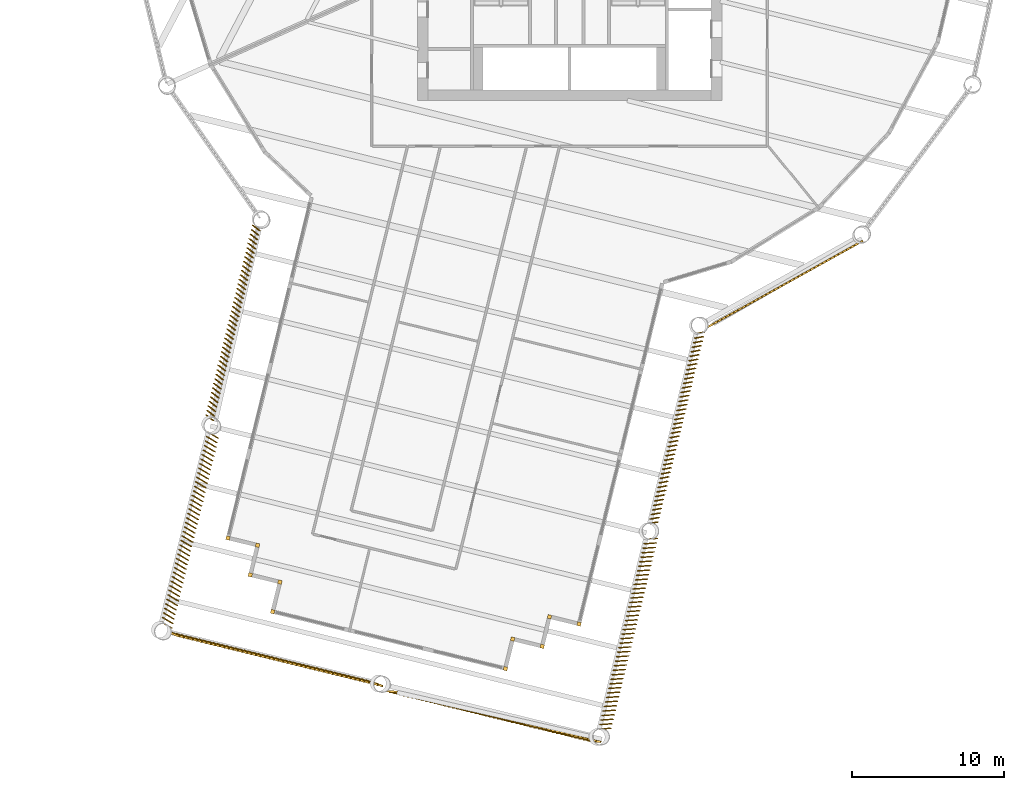
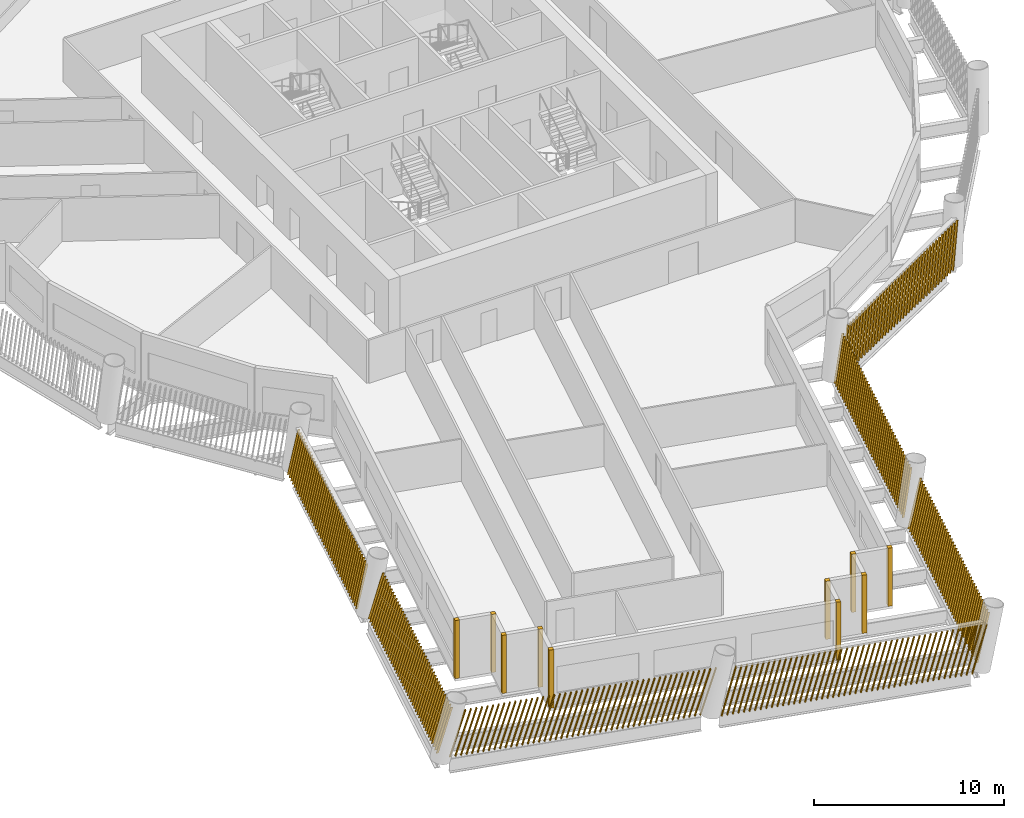
# One storey, part 11 of 15: 17 shading devices.
"""IFC4 building model written with IfcOpenShell, lengths in metres."""

from ifc_helpers import new_model, si_unit, direction, frame, frame_2d, origin, origin_2d, place, context, subcontext, project, spatial, rectangle, composite_profile, extrude, material, type_object, element, save


model = new_model("IFC4")

# Units and contexts
model_context = context("Model", 3, precision=1e-05, world=origin(), true_north=direction((0.0, 1.0)))
body_context = subcontext(model_context, "Body", "Model", "MODEL_VIEW")
ifc_project = project(units=[si_unit("LENGTHUNIT", "METRE"), si_unit("AREAUNIT", "SQUARE_METRE"), si_unit("VOLUMEUNIT", "CUBIC_METRE"), si_unit("PLANEANGLEUNIT", "RADIAN"), si_unit("MASSUNIT", "GRAM", prefix="KILO")], contexts=[model_context])

# Site, building, storey
site_placement = place(None, origin())
site = spatial("IfcSite", under=ifc_project, at=site_placement, CompositionType="ELEMENT")
building_placement = place(site_placement, origin())
building = spatial("IfcBuilding", under=site, at=building_placement, Name="Tarsis Ring Headquarters", CompositionType="ELEMENT")
storey_placement = place(building_placement, frame((0.0, 0.0, 167.10009765625)))
storey = spatial("IfcBuildingStorey", under=building, at=storey_placement, Name="L38", CompositionType="ELEMENT", Elevation=167.10009765625)

# Shading devices
ifc_material = material(Name="Terracotta baguette", Category="masonry")
shading_device_type_1 = type_object("IfcShadingDeviceType", Name="Terracotta baguette screen", PredefinedType="USERDEFINED", material=ifc_material)
shading_device_1_placement = place(storey_placement, frame((-20.8037109375, -21.154296875, 0.0), z_axis=(0.0, 0.0, 1.0), x_axis=(-0.23785195277, -0.971295034817, 0.0)))
element("IfcShadingDevice", 1, at=shading_device_1_placement, inside=storey, type_object=shading_device_type_1, Name="Baguette screen L38-01", ObjectType="Terracotta baguette screen", PredefinedType="USERDEFINED", context=body_context, shape_type="SweptSolid", body=[
    extrude(composite_profile([rectangle(XDim=0.06005859375, YDim=0.1201171875, at=frame_2d((0.030029296875, 0.0))), rectangle(XDim=0.06005859375, YDim=0.1201171875, at=frame_2d((0.335693359375, 0.0))), rectangle(XDim=0.06005859375, YDim=0.1201171875, at=frame_2d((0.6416015625, 0.0))), rectangle(XDim=0.06005859375, YDim=0.1201171875, at=frame_2d((0.947265625, 0.0))), rectangle(XDim=0.06005859375, YDim=0.1201171875, at=frame_2d((1.253173828125, 0.0))), rectangle(XDim=0.06005859375, YDim=0.1201171875, at=frame_2d((1.558837890625, 0.0))), rectangle(XDim=0.06005859375, YDim=0.1201171875, at=frame_2d((1.864501953125, 0.0))), rectangle(XDim=0.06005859375, YDim=0.1201171875, at=frame_2d((2.17041015625, 0.0))), rectangle(XDim=0.06005859375, YDim=0.1201171875, at=frame_2d((2.47607421875, 0.0))), rectangle(XDim=0.06005859375, YDim=0.1201171875, at=frame_2d((2.781982421875, 0.0))), rectangle(XDim=0.06005859375, YDim=0.1201171875, at=frame_2d((3.087646484375, 0.0))), rectangle(XDim=0.06005859375, YDim=0.1201171875, at=frame_2d((3.393310546875, 0.0))), rectangle(XDim=0.06005859375, YDim=0.1201171875, at=frame_2d((3.69921875, 0.0))), rectangle(XDim=0.06005859375, YDim=0.1201171875, at=frame_2d((4.0048828125, 0.0))), rectangle(XDim=0.06005859375, YDim=0.1201171875, at=frame_2d((4.310791015625, 0.0))), rectangle(XDim=0.06005859375, YDim=0.1201171875, at=frame_2d((4.616455078125, 0.0))), rectangle(XDim=0.06005859375, YDim=0.1201171875, at=frame_2d((4.922119140625, 0.0))), rectangle(XDim=0.06005859375, YDim=0.1201171875, at=frame_2d((5.22802734375, 0.0))), rectangle(XDim=0.06005859375, YDim=0.1201171875, at=frame_2d((5.53369140625, 0.0))), rectangle(XDim=0.06005859375, YDim=0.1201171875, at=frame_2d((5.839599609375, 0.0))), rectangle(XDim=0.06005859375, YDim=0.1201171875, at=frame_2d((6.145263671875, 0.0))), rectangle(XDim=0.06005859375, YDim=0.1201171875, at=frame_2d((6.451171875, 0.0))), rectangle(XDim=0.06005859375, YDim=0.1201171875, at=frame_2d((6.7568359375, 0.0))), rectangle(XDim=0.06005859375, YDim=0.1201171875, at=frame_2d((7.0625, 0.0))), rectangle(XDim=0.06005859375, YDim=0.1201171875, at=frame_2d((7.368408203125, 0.0))), rectangle(XDim=0.06005859375, YDim=0.1201171875, at=frame_2d((7.674072265625, 0.0))), rectangle(XDim=0.06005859375, YDim=0.1201171875, at=frame_2d((7.97998046875, 0.0))), rectangle(XDim=0.06005859375, YDim=0.1201171875, at=frame_2d((8.28564453125, 0.0))), rectangle(XDim=0.06005859375, YDim=0.1201171875, at=frame_2d((8.59130859375, 0.0))), rectangle(XDim=0.06005859375, YDim=0.1201171875, at=frame_2d((8.897216796875, 0.0))), rectangle(XDim=0.06005859375, YDim=0.1201171875, at=frame_2d((9.202880859375, 0.0))), rectangle(XDim=0.06005859375, YDim=0.1201171875, at=frame_2d((9.5087890625, 0.0))), rectangle(XDim=0.06005859375, YDim=0.1201171875, at=frame_2d((9.814453125, 0.0))), rectangle(XDim=0.06005859375, YDim=0.1201171875, at=frame_2d((10.1201171875, 0.0))), rectangle(XDim=0.06005859375, YDim=0.1201171875, at=frame_2d((10.426025390625, 0.0))), rectangle(XDim=0.06005859375, YDim=0.1201171875, at=frame_2d((10.731689453125, 0.0))), rectangle(XDim=0.06005859375, YDim=0.1201171875, at=frame_2d((11.03759765625, 0.0))), rectangle(XDim=0.06005859375, YDim=0.1201171875, at=frame_2d((11.34326171875, 0.0))), rectangle(XDim=0.06005859375, YDim=0.1201171875, at=frame_2d((11.64892578125, 0.0))), rectangle(XDim=0.06005859375, YDim=0.1201171875, at=frame_2d((11.954833984375, 0.0))), rectangle(XDim=0.06005859375, YDim=0.1201171875, at=frame_2d((12.260498046875, 0.0))), rectangle(XDim=0.06005859375, YDim=0.1201171875, at=frame_2d((12.56640625, 0.0))), rectangle(XDim=0.06005859375, YDim=0.1201171875, at=frame_2d((12.8720703125, 0.0)))]), origin(), (0.078091964169, 0.167787249856, 0.982725334932), 3.001708984375),
])
shading_device_2_placement = place(storey_placement, frame((-23.746337890625, -34.746826171875, 0.0), z_axis=(0.0, 0.0, 1.0), x_axis=(-0.23785195277, -0.971295034817, 0.0)))
element("IfcShadingDevice", 2, at=shading_device_2_placement, inside=storey, type_object=shading_device_type_1, Name="Baguette screen L38-02", ObjectType="Terracotta baguette screen", PredefinedType="USERDEFINED", context=body_context, shape_type="SweptSolid", body=[
    extrude(composite_profile([rectangle(XDim=0.06005859375, YDim=0.1201171875, at=frame_2d((0.030029296875, 0.0))), rectangle(XDim=0.06005859375, YDim=0.1201171875, at=frame_2d((0.335693359375, 0.0))), rectangle(XDim=0.06005859375, YDim=0.1201171875, at=frame_2d((0.6416015625, 0.0))), rectangle(XDim=0.06005859375, YDim=0.1201171875, at=frame_2d((0.947265625, 0.0))), rectangle(XDim=0.06005859375, YDim=0.1201171875, at=frame_2d((1.253173828125, 0.0))), rectangle(XDim=0.06005859375, YDim=0.1201171875, at=frame_2d((1.558837890625, 0.0))), rectangle(XDim=0.06005859375, YDim=0.1201171875, at=frame_2d((1.864501953125, 0.0))), rectangle(XDim=0.06005859375, YDim=0.1201171875, at=frame_2d((2.17041015625, 0.0))), rectangle(XDim=0.06005859375, YDim=0.1201171875, at=frame_2d((2.47607421875, 0.0))), rectangle(XDim=0.06005859375, YDim=0.1201171875, at=frame_2d((2.781982421875, 0.0))), rectangle(XDim=0.06005859375, YDim=0.1201171875, at=frame_2d((3.087646484375, 0.0))), rectangle(XDim=0.06005859375, YDim=0.1201171875, at=frame_2d((3.393310546875, 0.0))), rectangle(XDim=0.06005859375, YDim=0.1201171875, at=frame_2d((3.69921875, 0.0))), rectangle(XDim=0.06005859375, YDim=0.1201171875, at=frame_2d((4.0048828125, 0.0))), rectangle(XDim=0.06005859375, YDim=0.1201171875, at=frame_2d((4.310791015625, 0.0))), rectangle(XDim=0.06005859375, YDim=0.1201171875, at=frame_2d((4.616455078125, 0.0))), rectangle(XDim=0.06005859375, YDim=0.1201171875, at=frame_2d((4.922119140625, 0.0))), rectangle(XDim=0.06005859375, YDim=0.1201171875, at=frame_2d((5.22802734375, 0.0))), rectangle(XDim=0.06005859375, YDim=0.1201171875, at=frame_2d((5.53369140625, 0.0))), rectangle(XDim=0.06005859375, YDim=0.1201171875, at=frame_2d((5.839599609375, 0.0))), rectangle(XDim=0.06005859375, YDim=0.1201171875, at=frame_2d((6.145263671875, 0.0))), rectangle(XDim=0.06005859375, YDim=0.1201171875, at=frame_2d((6.451171875, 0.0))), rectangle(XDim=0.06005859375, YDim=0.1201171875, at=frame_2d((6.7568359375, 0.0))), rectangle(XDim=0.06005859375, YDim=0.1201171875, at=frame_2d((7.0625, 0.0))), rectangle(XDim=0.06005859375, YDim=0.1201171875, at=frame_2d((7.368408203125, 0.0))), rectangle(XDim=0.06005859375, YDim=0.1201171875, at=frame_2d((7.674072265625, 0.0))), rectangle(XDim=0.06005859375, YDim=0.1201171875, at=frame_2d((7.97998046875, 0.0))), rectangle(XDim=0.06005859375, YDim=0.1201171875, at=frame_2d((8.28564453125, 0.0))), rectangle(XDim=0.06005859375, YDim=0.1201171875, at=frame_2d((8.59130859375, 0.0))), rectangle(XDim=0.06005859375, YDim=0.1201171875, at=frame_2d((8.897216796875, 0.0))), rectangle(XDim=0.06005859375, YDim=0.1201171875, at=frame_2d((9.202880859375, 0.0))), rectangle(XDim=0.06005859375, YDim=0.1201171875, at=frame_2d((9.5087890625, 0.0))), rectangle(XDim=0.06005859375, YDim=0.1201171875, at=frame_2d((9.814453125, 0.0))), rectangle(XDim=0.06005859375, YDim=0.1201171875, at=frame_2d((10.1201171875, 0.0))), rectangle(XDim=0.06005859375, YDim=0.1201171875, at=frame_2d((10.426025390625, 0.0))), rectangle(XDim=0.06005859375, YDim=0.1201171875, at=frame_2d((10.731689453125, 0.0))), rectangle(XDim=0.06005859375, YDim=0.1201171875, at=frame_2d((11.03759765625, 0.0))), rectangle(XDim=0.06005859375, YDim=0.1201171875, at=frame_2d((11.34326171875, 0.0))), rectangle(XDim=0.06005859375, YDim=0.1201171875, at=frame_2d((11.64892578125, 0.0))), rectangle(XDim=0.06005859375, YDim=0.1201171875, at=frame_2d((11.954833984375, 0.0))), rectangle(XDim=0.06005859375, YDim=0.1201171875, at=frame_2d((12.260498046875, 0.0))), rectangle(XDim=0.06005859375, YDim=0.1201171875, at=frame_2d((12.56640625, 0.0))), rectangle(XDim=0.06005859375, YDim=0.1201171875, at=frame_2d((12.8720703125, 0.0)))]), origin(), (0.074475219768, 0.237067883791, 0.968634224109), 3.04541015625),
])
shading_device_3_placement = place(storey_placement, frame((-26.448486328125, -47.88330078125, 0.0), z_axis=(0.0, 0.0, 1.0), x_axis=(0.971304732419, -0.237859354268, 0.0)))
element("IfcShadingDevice", 3, at=shading_device_3_placement, inside=storey, type_object=shading_device_type_1, Name="Baguette screen L38-03", ObjectType="Terracotta baguette screen", PredefinedType="USERDEFINED", context=body_context, shape_type="SweptSolid", body=[
    extrude(composite_profile([rectangle(XDim=0.06005859375, YDim=0.1201171875, at=frame_2d((0.030029296875, 0.0))), rectangle(XDim=0.06005859375, YDim=0.1201171875, at=frame_2d((0.33544921875, 0.0))), rectangle(XDim=0.06005859375, YDim=0.1201171875, at=frame_2d((0.640625, 0.0))), rectangle(XDim=0.06005859375, YDim=0.1201171875, at=frame_2d((0.946044921875, 0.0))), rectangle(XDim=0.06005859375, YDim=0.1201171875, at=frame_2d((1.25146484375, 0.0))), rectangle(XDim=0.06005859375, YDim=0.1201171875, at=frame_2d((1.556640625, 0.0))), rectangle(XDim=0.06005859375, YDim=0.1201171875, at=frame_2d((1.862060546875, 0.0))), rectangle(XDim=0.06005859375, YDim=0.1201171875, at=frame_2d((2.16748046875, 0.0))), rectangle(XDim=0.06005859375, YDim=0.1201171875, at=frame_2d((2.47265625, 0.0))), rectangle(XDim=0.06005859375, YDim=0.1201171875, at=frame_2d((2.778076171875, 0.0))), rectangle(XDim=0.06005859375, YDim=0.1201171875, at=frame_2d((3.08349609375, 0.0))), rectangle(XDim=0.06005859375, YDim=0.1201171875, at=frame_2d((3.388671875, 0.0))), rectangle(XDim=0.06005859375, YDim=0.1201171875, at=frame_2d((3.694091796875, 0.0))), rectangle(XDim=0.06005859375, YDim=0.1201171875, at=frame_2d((3.99951171875, 0.0))), rectangle(XDim=0.06005859375, YDim=0.1201171875, at=frame_2d((4.3046875, 0.0))), rectangle(XDim=0.06005859375, YDim=0.1201171875, at=frame_2d((4.610107421875, 0.0))), rectangle(XDim=0.06005859375, YDim=0.1201171875, at=frame_2d((4.91552734375, 0.0))), rectangle(XDim=0.06005859375, YDim=0.1201171875, at=frame_2d((5.220703125, 0.0))), rectangle(XDim=0.06005859375, YDim=0.1201171875, at=frame_2d((5.526123046875, 0.0))), rectangle(XDim=0.06005859375, YDim=0.1201171875, at=frame_2d((5.83154296875, 0.0))), rectangle(XDim=0.06005859375, YDim=0.1201171875, at=frame_2d((6.13671875, 0.0))), rectangle(XDim=0.06005859375, YDim=0.1201171875, at=frame_2d((6.442138671875, 0.0))), rectangle(XDim=0.06005859375, YDim=0.1201171875, at=frame_2d((6.74755859375, 0.0))), rectangle(XDim=0.06005859375, YDim=0.1201171875, at=frame_2d((7.052734375, 0.0))), rectangle(XDim=0.06005859375, YDim=0.1201171875, at=frame_2d((7.358154296875, 0.0))), rectangle(XDim=0.06005859375, YDim=0.1201171875, at=frame_2d((7.66357421875, 0.0))), rectangle(XDim=0.06005859375, YDim=0.1201171875, at=frame_2d((7.96875, 0.0))), rectangle(XDim=0.06005859375, YDim=0.1201171875, at=frame_2d((8.274169921875, 0.0))), rectangle(XDim=0.06005859375, YDim=0.1201171875, at=frame_2d((8.57958984375, 0.0))), rectangle(XDim=0.06005859375, YDim=0.1201171875, at=frame_2d((8.884765625, 0.0))), rectangle(XDim=0.06005859375, YDim=0.1201171875, at=frame_2d((9.190185546875, 0.0))), rectangle(XDim=0.06005859375, YDim=0.1201171875, at=frame_2d((9.49560546875, 0.0))), rectangle(XDim=0.06005859375, YDim=0.1201171875, at=frame_2d((9.80078125, 0.0))), rectangle(XDim=0.06005859375, YDim=0.1201171875, at=frame_2d((10.106201171875, 0.0))), rectangle(XDim=0.06005859375, YDim=0.1201171875, at=frame_2d((10.41162109375, 0.0))), rectangle(XDim=0.06005859375, YDim=0.1201171875, at=frame_2d((10.716796875, 0.0))), rectangle(XDim=0.06005859375, YDim=0.1201171875, at=frame_2d((11.022216796875, 0.0))), rectangle(XDim=0.06005859375, YDim=0.1201171875, at=frame_2d((11.32763671875, 0.0))), rectangle(XDim=0.06005859375, YDim=0.1201171875, at=frame_2d((11.6328125, 0.0))), rectangle(XDim=0.06005859375, YDim=0.1201171875, at=frame_2d((11.938232421875, 0.0))), rectangle(XDim=0.06005859375, YDim=0.1201171875, at=frame_2d((12.24365234375, 0.0))), rectangle(XDim=0.06005859375, YDim=0.1201171875, at=frame_2d((12.548828125, 0.0))), rectangle(XDim=0.06005859375, YDim=0.1201171875, at=frame_2d((12.854248046875, 0.0))), rectangle(XDim=0.06005859375, YDim=0.1201171875, at=frame_2d((13.15966796875, 0.0))), rectangle(XDim=0.06005859375, YDim=0.1201171875, at=frame_2d((13.46484375, 0.0))), rectangle(XDim=0.06005859375, YDim=0.1201171875, at=frame_2d((13.770263671875, 0.0)))]), origin(), (0.2707505716, -0.03577936014, 0.961984389357), 3.06640625),
])
shading_device_4_placement = place(storey_placement, frame((-12.162353515625, -51.767822265625, 0.0), z_axis=(0.0, 0.0, 1.0), x_axis=(0.971304732419, -0.237859354268, 0.0)))
element("IfcShadingDevice", 4, at=shading_device_4_placement, inside=storey, type_object=shading_device_type_1, Name="Baguette screen L38-04", ObjectType="Terracotta baguette screen", PredefinedType="USERDEFINED", context=body_context, shape_type="SweptSolid", body=[
    extrude(composite_profile([rectangle(XDim=0.06005859375, YDim=0.1201171875, at=frame_2d((0.030029296875, 0.0))), rectangle(XDim=0.06005859375, YDim=0.1201171875, at=frame_2d((0.33544921875, 0.0))), rectangle(XDim=0.06005859375, YDim=0.1201171875, at=frame_2d((0.640625, 0.0))), rectangle(XDim=0.06005859375, YDim=0.1201171875, at=frame_2d((0.946044921875, 0.0))), rectangle(XDim=0.06005859375, YDim=0.1201171875, at=frame_2d((1.25146484375, 0.0))), rectangle(XDim=0.06005859375, YDim=0.1201171875, at=frame_2d((1.556640625, 0.0))), rectangle(XDim=0.06005859375, YDim=0.1201171875, at=frame_2d((1.862060546875, 0.0))), rectangle(XDim=0.06005859375, YDim=0.1201171875, at=frame_2d((2.16748046875, 0.0))), rectangle(XDim=0.06005859375, YDim=0.1201171875, at=frame_2d((2.47265625, 0.0))), rectangle(XDim=0.06005859375, YDim=0.1201171875, at=frame_2d((2.778076171875, 0.0))), rectangle(XDim=0.06005859375, YDim=0.1201171875, at=frame_2d((3.08349609375, 0.0))), rectangle(XDim=0.06005859375, YDim=0.1201171875, at=frame_2d((3.388671875, 0.0))), rectangle(XDim=0.06005859375, YDim=0.1201171875, at=frame_2d((3.694091796875, 0.0))), rectangle(XDim=0.06005859375, YDim=0.1201171875, at=frame_2d((3.99951171875, 0.0))), rectangle(XDim=0.06005859375, YDim=0.1201171875, at=frame_2d((4.3046875, 0.0))), rectangle(XDim=0.06005859375, YDim=0.1201171875, at=frame_2d((4.610107421875, 0.0))), rectangle(XDim=0.06005859375, YDim=0.1201171875, at=frame_2d((4.91552734375, 0.0))), rectangle(XDim=0.06005859375, YDim=0.1201171875, at=frame_2d((5.220703125, 0.0))), rectangle(XDim=0.06005859375, YDim=0.1201171875, at=frame_2d((5.526123046875, 0.0))), rectangle(XDim=0.06005859375, YDim=0.1201171875, at=frame_2d((5.83154296875, 0.0))), rectangle(XDim=0.06005859375, YDim=0.1201171875, at=frame_2d((6.13671875, 0.0))), rectangle(XDim=0.06005859375, YDim=0.1201171875, at=frame_2d((6.442138671875, 0.0))), rectangle(XDim=0.06005859375, YDim=0.1201171875, at=frame_2d((6.74755859375, 0.0))), rectangle(XDim=0.06005859375, YDim=0.1201171875, at=frame_2d((7.052734375, 0.0))), rectangle(XDim=0.06005859375, YDim=0.1201171875, at=frame_2d((7.358154296875, 0.0))), rectangle(XDim=0.06005859375, YDim=0.1201171875, at=frame_2d((7.66357421875, 0.0))), rectangle(XDim=0.06005859375, YDim=0.1201171875, at=frame_2d((7.96875, 0.0))), rectangle(XDim=0.06005859375, YDim=0.1201171875, at=frame_2d((8.274169921875, 0.0))), rectangle(XDim=0.06005859375, YDim=0.1201171875, at=frame_2d((8.57958984375, 0.0))), rectangle(XDim=0.06005859375, YDim=0.1201171875, at=frame_2d((8.884765625, 0.0))), rectangle(XDim=0.06005859375, YDim=0.1201171875, at=frame_2d((9.190185546875, 0.0))), rectangle(XDim=0.06005859375, YDim=0.1201171875, at=frame_2d((9.49560546875, 0.0))), rectangle(XDim=0.06005859375, YDim=0.1201171875, at=frame_2d((9.80078125, 0.0))), rectangle(XDim=0.06005859375, YDim=0.1201171875, at=frame_2d((10.106201171875, 0.0))), rectangle(XDim=0.06005859375, YDim=0.1201171875, at=frame_2d((10.41162109375, 0.0))), rectangle(XDim=0.06005859375, YDim=0.1201171875, at=frame_2d((10.716796875, 0.0))), rectangle(XDim=0.06005859375, YDim=0.1201171875, at=frame_2d((11.022216796875, 0.0))), rectangle(XDim=0.06005859375, YDim=0.1201171875, at=frame_2d((11.32763671875, 0.0))), rectangle(XDim=0.06005859375, YDim=0.1201171875, at=frame_2d((11.6328125, 0.0))), rectangle(XDim=0.06005859375, YDim=0.1201171875, at=frame_2d((11.938232421875, 0.0))), rectangle(XDim=0.06005859375, YDim=0.1201171875, at=frame_2d((12.24365234375, 0.0))), rectangle(XDim=0.06005859375, YDim=0.1201171875, at=frame_2d((12.548828125, 0.0))), rectangle(XDim=0.06005859375, YDim=0.1201171875, at=frame_2d((12.854248046875, 0.0))), rectangle(XDim=0.06005859375, YDim=0.1201171875, at=frame_2d((13.15966796875, 0.0))), rectangle(XDim=0.06005859375, YDim=0.1201171875, at=frame_2d((13.46484375, 0.0))), rectangle(XDim=0.06005859375, YDim=0.1201171875, at=frame_2d((13.770263671875, 0.0)))]), origin(), (0.271934204609, 0.040023356485, 0.961483187216), 3.068115234375),
])
shading_device_5_placement = place(storey_placement, frame((1.935302734375, -54.3193359375, 0.0), z_axis=(0.0, 0.0, 1.0), x_axis=(0.237870874962, 0.971295034817, 0.0)))
element("IfcShadingDevice", 5, at=shading_device_5_placement, inside=storey, type_object=shading_device_type_1, Name="Baguette screen L38-05", ObjectType="Terracotta baguette screen", PredefinedType="USERDEFINED", context=body_context, shape_type="SweptSolid", body=[
    extrude(composite_profile([rectangle(XDim=0.06005859375, YDim=0.1201171875, at=frame_2d((0.030029296875, 0.0))), rectangle(XDim=0.06005859375, YDim=0.1201171875, at=frame_2d((0.335693359375, 0.0))), rectangle(XDim=0.06005859375, YDim=0.1201171875, at=frame_2d((0.6416015625, 0.0))), rectangle(XDim=0.06005859375, YDim=0.1201171875, at=frame_2d((0.947265625, 0.0))), rectangle(XDim=0.06005859375, YDim=0.1201171875, at=frame_2d((1.253173828125, 0.0))), rectangle(XDim=0.06005859375, YDim=0.1201171875, at=frame_2d((1.558837890625, 0.0))), rectangle(XDim=0.06005859375, YDim=0.1201171875, at=frame_2d((1.864501953125, 0.0))), rectangle(XDim=0.06005859375, YDim=0.1201171875, at=frame_2d((2.17041015625, 0.0))), rectangle(XDim=0.06005859375, YDim=0.1201171875, at=frame_2d((2.47607421875, 0.0))), rectangle(XDim=0.06005859375, YDim=0.1201171875, at=frame_2d((2.781982421875, 0.0))), rectangle(XDim=0.06005859375, YDim=0.1201171875, at=frame_2d((3.087646484375, 0.0))), rectangle(XDim=0.06005859375, YDim=0.1201171875, at=frame_2d((3.393310546875, 0.0))), rectangle(XDim=0.06005859375, YDim=0.1201171875, at=frame_2d((3.69921875, 0.0))), rectangle(XDim=0.06005859375, YDim=0.1201171875, at=frame_2d((4.0048828125, 0.0))), rectangle(XDim=0.06005859375, YDim=0.1201171875, at=frame_2d((4.310791015625, 0.0))), rectangle(XDim=0.06005859375, YDim=0.1201171875, at=frame_2d((4.616455078125, 0.0))), rectangle(XDim=0.06005859375, YDim=0.1201171875, at=frame_2d((4.922119140625, 0.0))), rectangle(XDim=0.06005859375, YDim=0.1201171875, at=frame_2d((5.22802734375, 0.0))), rectangle(XDim=0.06005859375, YDim=0.1201171875, at=frame_2d((5.53369140625, 0.0))), rectangle(XDim=0.06005859375, YDim=0.1201171875, at=frame_2d((5.839599609375, 0.0))), rectangle(XDim=0.06005859375, YDim=0.1201171875, at=frame_2d((6.145263671875, 0.0))), rectangle(XDim=0.06005859375, YDim=0.1201171875, at=frame_2d((6.451171875, 0.0))), rectangle(XDim=0.06005859375, YDim=0.1201171875, at=frame_2d((6.7568359375, 0.0))), rectangle(XDim=0.06005859375, YDim=0.1201171875, at=frame_2d((7.0625, 0.0))), rectangle(XDim=0.06005859375, YDim=0.1201171875, at=frame_2d((7.368408203125, 0.0))), rectangle(XDim=0.06005859375, YDim=0.1201171875, at=frame_2d((7.674072265625, 0.0))), rectangle(XDim=0.06005859375, YDim=0.1201171875, at=frame_2d((7.97998046875, 0.0))), rectangle(XDim=0.06005859375, YDim=0.1201171875, at=frame_2d((8.28564453125, 0.0))), rectangle(XDim=0.06005859375, YDim=0.1201171875, at=frame_2d((8.59130859375, 0.0))), rectangle(XDim=0.06005859375, YDim=0.1201171875, at=frame_2d((8.897216796875, 0.0))), rectangle(XDim=0.06005859375, YDim=0.1201171875, at=frame_2d((9.202880859375, 0.0))), rectangle(XDim=0.06005859375, YDim=0.1201171875, at=frame_2d((9.5087890625, 0.0))), rectangle(XDim=0.06005859375, YDim=0.1201171875, at=frame_2d((9.814453125, 0.0))), rectangle(XDim=0.06005859375, YDim=0.1201171875, at=frame_2d((10.1201171875, 0.0))), rectangle(XDim=0.06005859375, YDim=0.1201171875, at=frame_2d((10.426025390625, 0.0))), rectangle(XDim=0.06005859375, YDim=0.1201171875, at=frame_2d((10.731689453125, 0.0))), rectangle(XDim=0.06005859375, YDim=0.1201171875, at=frame_2d((11.03759765625, 0.0))), rectangle(XDim=0.06005859375, YDim=0.1201171875, at=frame_2d((11.34326171875, 0.0))), rectangle(XDim=0.06005859375, YDim=0.1201171875, at=frame_2d((11.64892578125, 0.0))), rectangle(XDim=0.06005859375, YDim=0.1201171875, at=frame_2d((11.954833984375, 0.0))), rectangle(XDim=0.06005859375, YDim=0.1201171875, at=frame_2d((12.260498046875, 0.0))), rectangle(XDim=0.06005859375, YDim=0.1201171875, at=frame_2d((12.56640625, 0.0))), rectangle(XDim=0.06005859375, YDim=0.1201171875, at=frame_2d((12.8720703125, 0.0)))]), origin(), (0.078193324495, -0.235868752967, 0.968633953245), 3.04541015625),
])
shading_device_6_placement = place(storey_placement, frame((5.2421875, -40.81591796875, 0.0), z_axis=(0.0, 0.0, 1.0), x_axis=(0.237856453536, 0.971294491646, 0.0)))
element("IfcShadingDevice", 6, at=shading_device_6_placement, inside=storey, type_object=shading_device_type_1, Name="Baguette screen L38-06", ObjectType="Terracotta baguette screen", PredefinedType="USERDEFINED", context=body_context, shape_type="SweptSolid", body=[
    extrude(composite_profile([rectangle(XDim=0.06005859375, YDim=0.1201171875, at=frame_2d((0.030029296875, 0.0))), rectangle(XDim=0.06005859375, YDim=0.1201171875, at=frame_2d((0.335693359375, 0.0))), rectangle(XDim=0.06005859375, YDim=0.1201171875, at=frame_2d((0.6416015625, 0.0))), rectangle(XDim=0.06005859375, YDim=0.1201171875, at=frame_2d((0.947265625, 0.0))), rectangle(XDim=0.06005859375, YDim=0.1201171875, at=frame_2d((1.253173828125, 0.0))), rectangle(XDim=0.06005859375, YDim=0.1201171875, at=frame_2d((1.558837890625, 0.0))), rectangle(XDim=0.06005859375, YDim=0.1201171875, at=frame_2d((1.864501953125, 0.0))), rectangle(XDim=0.06005859375, YDim=0.1201171875, at=frame_2d((2.17041015625, 0.0))), rectangle(XDim=0.06005859375, YDim=0.1201171875, at=frame_2d((2.47607421875, 0.0))), rectangle(XDim=0.06005859375, YDim=0.1201171875, at=frame_2d((2.781982421875, 0.0))), rectangle(XDim=0.06005859375, YDim=0.1201171875, at=frame_2d((3.087646484375, 0.0))), rectangle(XDim=0.06005859375, YDim=0.1201171875, at=frame_2d((3.393310546875, 0.0))), rectangle(XDim=0.06005859375, YDim=0.1201171875, at=frame_2d((3.69921875, 0.0))), rectangle(XDim=0.06005859375, YDim=0.1201171875, at=frame_2d((4.0048828125, 0.0))), rectangle(XDim=0.06005859375, YDim=0.1201171875, at=frame_2d((4.310791015625, 0.0))), rectangle(XDim=0.06005859375, YDim=0.1201171875, at=frame_2d((4.616455078125, 0.0))), rectangle(XDim=0.06005859375, YDim=0.1201171875, at=frame_2d((4.922119140625, 0.0))), rectangle(XDim=0.06005859375, YDim=0.1201171875, at=frame_2d((5.22802734375, 0.0))), rectangle(XDim=0.06005859375, YDim=0.1201171875, at=frame_2d((5.53369140625, 0.0))), rectangle(XDim=0.06005859375, YDim=0.1201171875, at=frame_2d((5.839599609375, 0.0))), rectangle(XDim=0.06005859375, YDim=0.1201171875, at=frame_2d((6.145263671875, 0.0))), rectangle(XDim=0.06005859375, YDim=0.1201171875, at=frame_2d((6.451171875, 0.0))), rectangle(XDim=0.06005859375, YDim=0.1201171875, at=frame_2d((6.7568359375, 0.0))), rectangle(XDim=0.06005859375, YDim=0.1201171875, at=frame_2d((7.0625, 0.0))), rectangle(XDim=0.06005859375, YDim=0.1201171875, at=frame_2d((7.368408203125, 0.0))), rectangle(XDim=0.06005859375, YDim=0.1201171875, at=frame_2d((7.674072265625, 0.0))), rectangle(XDim=0.06005859375, YDim=0.1201171875, at=frame_2d((7.97998046875, 0.0))), rectangle(XDim=0.06005859375, YDim=0.1201171875, at=frame_2d((8.28564453125, 0.0))), rectangle(XDim=0.06005859375, YDim=0.1201171875, at=frame_2d((8.59130859375, 0.0))), rectangle(XDim=0.06005859375, YDim=0.1201171875, at=frame_2d((8.897216796875, 0.0))), rectangle(XDim=0.06005859375, YDim=0.1201171875, at=frame_2d((9.202880859375, 0.0))), rectangle(XDim=0.06005859375, YDim=0.1201171875, at=frame_2d((9.5087890625, 0.0))), rectangle(XDim=0.06005859375, YDim=0.1201171875, at=frame_2d((9.814453125, 0.0))), rectangle(XDim=0.06005859375, YDim=0.1201171875, at=frame_2d((10.1201171875, 0.0))), rectangle(XDim=0.06005859375, YDim=0.1201171875, at=frame_2d((10.426025390625, 0.0))), rectangle(XDim=0.06005859375, YDim=0.1201171875, at=frame_2d((10.731689453125, 0.0))), rectangle(XDim=0.06005859375, YDim=0.1201171875, at=frame_2d((11.03759765625, 0.0))), rectangle(XDim=0.06005859375, YDim=0.1201171875, at=frame_2d((11.34326171875, 0.0))), rectangle(XDim=0.06005859375, YDim=0.1201171875, at=frame_2d((11.64892578125, 0.0))), rectangle(XDim=0.06005859375, YDim=0.1201171875, at=frame_2d((11.954833984375, 0.0))), rectangle(XDim=0.06005859375, YDim=0.1201171875, at=frame_2d((12.260498046875, 0.0))), rectangle(XDim=0.06005859375, YDim=0.1201171875, at=frame_2d((12.56640625, 0.0))), rectangle(XDim=0.06005859375, YDim=0.1201171875, at=frame_2d((12.8720703125, 0.0)))]), origin(), (0.078767839649, -0.166581071176, 0.982876581348), 3.00146484375),
])
shading_device_7_placement = place(storey_placement, frame((9.049072265625, -27.883544921875, 0.0), z_axis=(0.0, 0.0, 1.0), x_axis=(0.874270211612, 0.485447639718, 0.0)))
element("IfcShadingDevice", 7, at=shading_device_7_placement, inside=storey, type_object=shading_device_type_1, Name="Baguette screen L38-07", ObjectType="Terracotta baguette screen", PredefinedType="USERDEFINED", context=body_context, shape_type="SweptSolid", body=[
    extrude(composite_profile([rectangle(XDim=0.06005859375, YDim=0.1201171875, at=frame_2d((0.030029296875, 0.0))), rectangle(XDim=0.06005859375, YDim=0.1201171875, at=frame_2d((0.33251953125, 0.0))), rectangle(XDim=0.06005859375, YDim=0.1201171875, at=frame_2d((0.634765625, 0.0))), rectangle(XDim=0.06005859375, YDim=0.1201171875, at=frame_2d((0.937255859375, 0.0))), rectangle(XDim=0.06005859375, YDim=0.1201171875, at=frame_2d((1.239501953125, 0.0))), rectangle(XDim=0.06005859375, YDim=0.1201171875, at=frame_2d((1.5419921875, 0.0))), rectangle(XDim=0.06005859375, YDim=0.1201171875, at=frame_2d((1.844482421875, 0.0))), rectangle(XDim=0.06005859375, YDim=0.1201171875, at=frame_2d((2.146728515625, 0.0))), rectangle(XDim=0.06005859375, YDim=0.1201171875, at=frame_2d((2.44921875, 0.0))), rectangle(XDim=0.06005859375, YDim=0.1201171875, at=frame_2d((2.751708984375, 0.0))), rectangle(XDim=0.06005859375, YDim=0.1201171875, at=frame_2d((3.053955078125, 0.0))), rectangle(XDim=0.06005859375, YDim=0.1201171875, at=frame_2d((3.3564453125, 0.0))), rectangle(XDim=0.06005859375, YDim=0.1201171875, at=frame_2d((3.65869140625, 0.0))), rectangle(XDim=0.06005859375, YDim=0.1201171875, at=frame_2d((3.961181640625, 0.0))), rectangle(XDim=0.06005859375, YDim=0.1201171875, at=frame_2d((4.263671875, 0.0))), rectangle(XDim=0.06005859375, YDim=0.1201171875, at=frame_2d((4.56591796875, 0.0))), rectangle(XDim=0.06005859375, YDim=0.1201171875, at=frame_2d((4.868408203125, 0.0))), rectangle(XDim=0.06005859375, YDim=0.1201171875, at=frame_2d((5.1708984375, 0.0))), rectangle(XDim=0.06005859375, YDim=0.1201171875, at=frame_2d((5.47314453125, 0.0))), rectangle(XDim=0.06005859375, YDim=0.1201171875, at=frame_2d((5.775634765625, 0.0))), rectangle(XDim=0.06005859375, YDim=0.1201171875, at=frame_2d((6.077880859375, 0.0))), rectangle(XDim=0.06005859375, YDim=0.1201171875, at=frame_2d((6.38037109375, 0.0))), rectangle(XDim=0.06005859375, YDim=0.1201171875, at=frame_2d((6.682861328125, 0.0))), rectangle(XDim=0.06005859375, YDim=0.1201171875, at=frame_2d((6.985107421875, 0.0))), rectangle(XDim=0.06005859375, YDim=0.1201171875, at=frame_2d((7.28759765625, 0.0))), rectangle(XDim=0.06005859375, YDim=0.1201171875, at=frame_2d((7.590087890625, 0.0))), rectangle(XDim=0.06005859375, YDim=0.1201171875, at=frame_2d((7.892333984375, 0.0))), rectangle(XDim=0.06005859375, YDim=0.1201171875, at=frame_2d((8.19482421875, 0.0))), rectangle(XDim=0.06005859375, YDim=0.1201171875, at=frame_2d((8.4970703125, 0.0))), rectangle(XDim=0.06005859375, YDim=0.1201171875, at=frame_2d((8.799560546875, 0.0))), rectangle(XDim=0.06005859375, YDim=0.1201171875, at=frame_2d((9.10205078125, 0.0))), rectangle(XDim=0.06005859375, YDim=0.1201171875, at=frame_2d((9.404296875, 0.0))), rectangle(XDim=0.06005859375, YDim=0.1201171875, at=frame_2d((9.706787109375, 0.0))), rectangle(XDim=0.06005859375, YDim=0.1201171875, at=frame_2d((10.00927734375, 0.0))), rectangle(XDim=0.06005859375, YDim=0.1201171875, at=frame_2d((10.3115234375, 0.0))), rectangle(XDim=0.06005859375, YDim=0.1201171875, at=frame_2d((10.614013671875, 0.0))), rectangle(XDim=0.06005859375, YDim=0.1201171875, at=frame_2d((10.916259765625, 0.0))), rectangle(XDim=0.06005859375, YDim=0.1201171875, at=frame_2d((11.21875, 0.0)))]), origin(), (0.151425734923, 0.001188168891, 0.98846792313), 2.984375),
])
shading_device_type_2 = type_object("IfcShadingDeviceType", Name="Terracotta corner baguette 250x250", PredefinedType="USERDEFINED", material=ifc_material)
for number, where, z_axis, x_axis, name in (
    (8, (-22.44580078125, -41.73388671875, 0.0), (0.0, 0.0, 1.0), (-0.237855385973, -0.971300579308, 0.0), "Corner baguette L38-07"),
    (9, (-20.503173828125, -42.20947265625, 0.0), (0.0, 0.0, 1.0), (0.971300550248, -0.23785550464, 0.0), "Corner baguette L38-08"),
    (10, (-20.97900390625, -44.152099609375, 0.0), (0.0, 0.0, 1.0), (-0.23785550464, -0.971300550248, 0.0), "Corner baguette L38-09"),
    (11, (-19.036376953125, -44.6279296875, 0.0), (0.0, 0.0, 1.0), (0.971300550248, -0.23785550464, 0.0), "Corner baguette L38-10"),
    (12, (-19.511962890625, -46.570556640625, 0.0), (0.0, 0.0, 1.0), (-0.23785550464, -0.971300550248, 0.0), "Corner baguette L38-11"),
    (13, (-4.214111328125, -50.316650390625, 0.0), (0.0, 0.0, 1.0), (0.971300566854, -0.23785543683, 0.0), "Corner baguette L38-12"),
    (14, (-3.73828125, -48.3740234375, 0.0), (0.0, 0.0, 1.0), (0.23785550464, 0.971300550248, 0.0), "Corner baguette L38-13"),
    (15, (-1.795654296875, -48.849853515625, 0.0), (0.0, 0.0, 1.0), (0.971300575156, -0.237855402926, 0.0), "Corner baguette L38-14"),
    (16, (-1.320068359375, -46.9072265625, 0.0), (0.0, 0.0, 1.0), (0.237855402926, 0.971300575156, 0.0), "Corner baguette L38-15"),
    (17, (0.62255859375, -47.383056640625, 0.0), (0.0, 0.0, 1.0), (0.971300521189, -0.237855623307, 0.0), "Corner baguette L38-16"),
):
    element("IfcShadingDevice", number, at=place(storey_placement, frame(where, z_axis=z_axis, x_axis=x_axis)), inside=storey, type_object=shading_device_type_2, Name=name, ObjectType="Terracotta corner baguette", PredefinedType="USERDEFINED", context=body_context, shape_type="SweptSolid", body=[
        extrude(rectangle(XDim=0.25, YDim=0.25, at=origin_2d()), origin(), (0.0, 0.0, 1.0), 3.739990234375),
    ])

save(model, "model.ifc")
